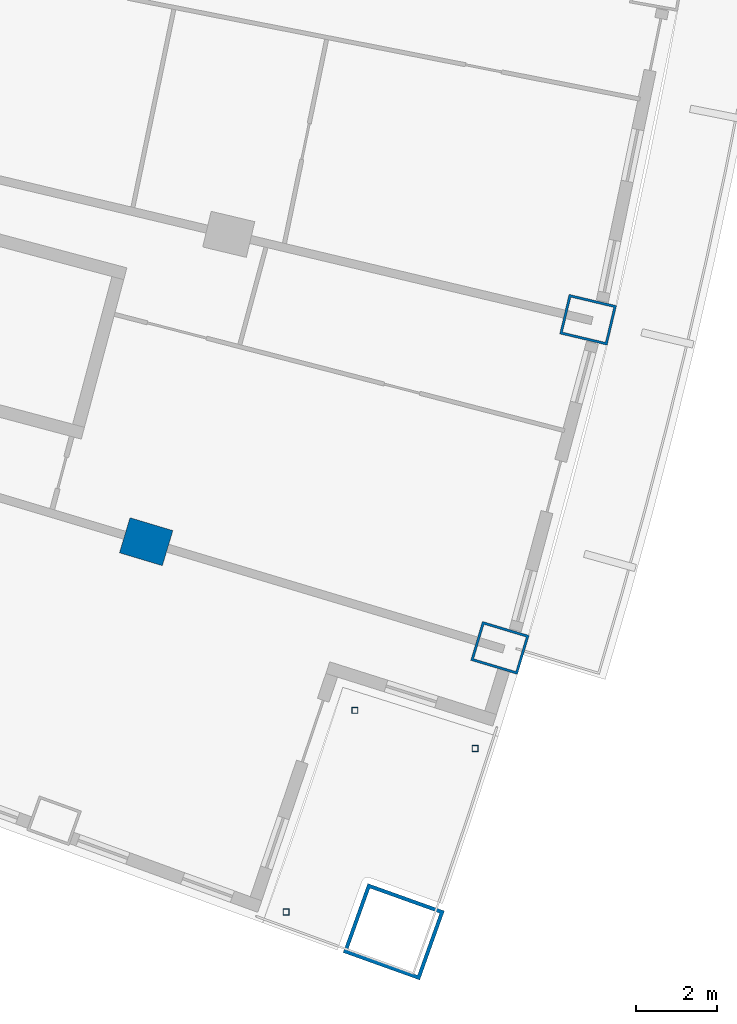
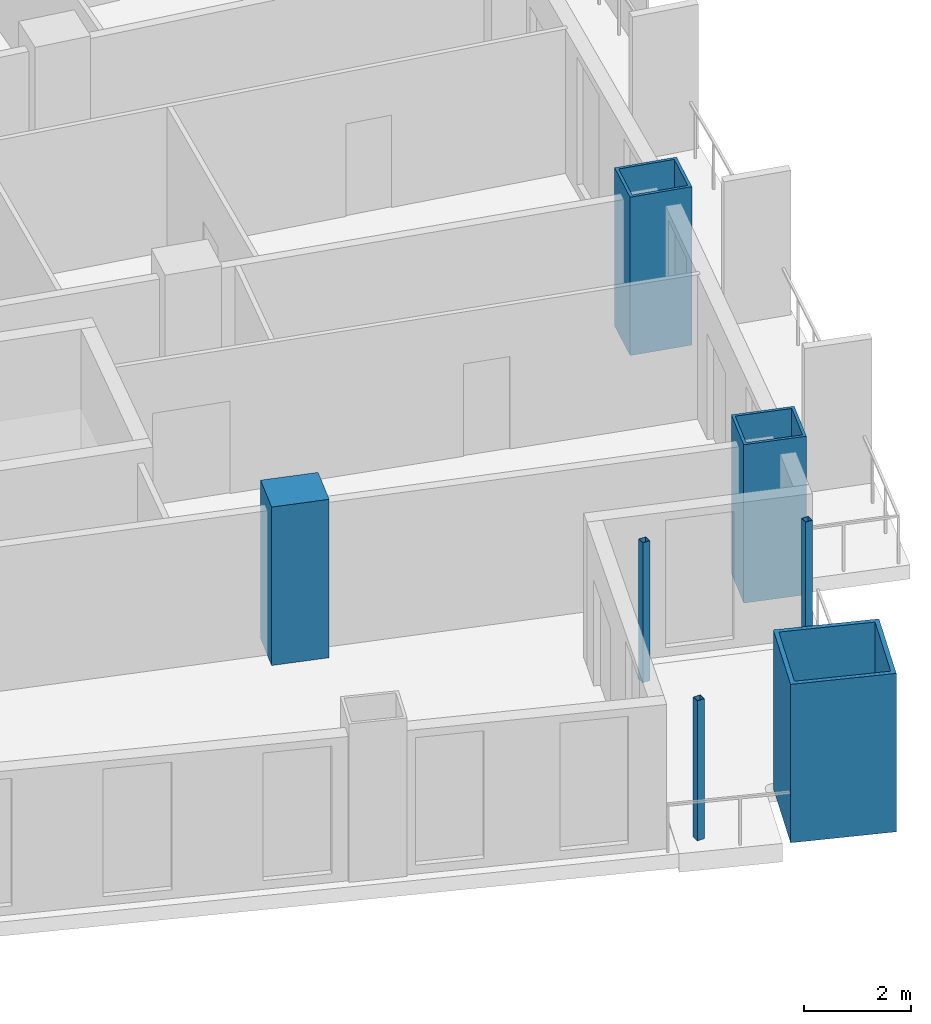
# One storey, part 5 of 25: 7 columns.
"""IFC4 building model written with IfcOpenShell, lengths in metres."""

from ifc_helpers import new_model, si_unit, direction, frame, origin, origin_2d, place, context, subcontext, project, spatial, rectangle, hollow_rectangle, extrude, material, material_profile, profile_set, type_object, element, save


model = new_model("IFC4")

# Units and contexts
model_context = context("Model", 3, precision=1e-05, world=origin(), true_north=direction((0.0, 1.0)))
body_context = subcontext(model_context, "Body", "Model", "MODEL_VIEW")
ifc_project = project(units=[si_unit("LENGTHUNIT", "METRE"), si_unit("AREAUNIT", "SQUARE_METRE"), si_unit("VOLUMEUNIT", "CUBIC_METRE"), si_unit("PLANEANGLEUNIT", "RADIAN"), si_unit("MASSUNIT", "GRAM", prefix="KILO")], contexts=[model_context])

# Site, building, storey
site_placement = place(None, origin())
site = spatial("IfcSite", under=ifc_project, at=site_placement, CompositionType="ELEMENT")
building_placement = place(site_placement, origin())
building = spatial("IfcBuilding", under=site, at=building_placement, Name="Alderwake Tower", CompositionType="ELEMENT")
storey_placement = place(building_placement, frame((0.0, 0.0, 46.39990234375)))
storey = spatial("IfcBuildingStorey", under=building, at=storey_placement, Name="L10", CompositionType="ELEMENT", Elevation=46.39990234375)

# Columns
ifc_material_1 = material(Name="Concrete C70/85", Category="concrete")
ifc_material_profile_1 = material_profile(ifc_material_1, rectangle(XDim=0.89990234375, YDim=1.10009765625, at=origin_2d()), Name="RC 1100X900")
ifc_profile_set_1 = profile_set([ifc_material_profile_1], Name="Concrete C70/85")
column_type_1 = type_object("IfcColumnType", Name="Interior column Z1", PredefinedType="COLUMN", material=ifc_profile_set_1)
column_1_placement = place(storey_placement, frame((48.27685546875, 22.487548828125, 0.0), z_axis=(0.0, 0.0, 1.0), x_axis=(0.287549418125, 0.957765802342, 0.0)))
element("IfcColumn", 1, at=column_1_placement, inside=storey, type_object=column_type_1, Name="Column R02-C4", PredefinedType="COLUMN", context=body_context, shape_type="SweptSolid", body=[
    extrude(rectangle(XDim=0.89990234375, YDim=1.10009765625, at=origin_2d()), origin(), (0.0, 0.0, 1.0), 3.60009765625),
])
ifc_material_2 = material(Name="Steel ASTM A500 Grade C", Category="steel")
ifc_material_profile_2 = material_profile(ifc_material_2, hollow_rectangle(XDim=0.15234375, YDim=0.15234375, WallThickness=0.0087890625, at=origin_2d()), Name="HSS6X6X3/8")
ifc_profile_set_2 = profile_set([ifc_material_profile_2], Name="Steel ASTM A500 Grade C")
column_type_2 = type_object("IfcColumnType", Name="Light post HSS6X6X3/8", PredefinedType="COLUMN", material=ifc_profile_set_2)
for number, where, z_axis, x_axis, name in (
    (2, (56.35302734375, 17.41357421875, 0.0), (0.0, 0.0, 1.0), (1.0, 0.0, 0.0), "Terrace post FS1"),
    (3, (51.712890625, 13.400146484375, 0.0), (0.0, 0.0, 1.0), (1.0, 0.0, 0.0), "Terrace post FS2"),
    (4, (53.397216796875, 18.34814453125, 0.0), (0.0, 0.0, 1.0), (1.0, 0.0, 0.0), "Terrace post FS3"),
):
    element("IfcColumn", number, at=place(storey_placement, frame(where, z_axis=z_axis, x_axis=x_axis)), inside=storey, type_object=column_type_2, Name=name, PredefinedType="COLUMN", context=body_context, shape_type="SweptSolid", body=[
        extrude(hollow_rectangle(XDim=0.15234375, YDim=0.15234375, WallThickness=0.0087890625, at=origin_2d()), origin(), (0.0, 0.0, 1.0), 3.18017578125),
    ])
ifc_material_3 = material(Name="Steel ASTM A572 Grade 50 concrete filled C70/85", Category="concrete")
ifc_material_profile_3 = material_profile(ifc_material_3, hollow_rectangle(XDim=1.800048828125, YDim=2.0, WallThickness=0.090087890625, at=origin_2d()), Name="BOX 2000X1800X90")
ifc_profile_set_3 = profile_set([ifc_material_profile_3], Name="Steel ASTM A572 Grade 50 concrete filled C70/85")
column_type_3 = type_object("IfcColumnType", Name="Mega column Z1", PredefinedType="COLUMN", material=ifc_profile_set_3)
column_2_placement = place(storey_placement, frame((54.353759765625, 12.9130859375, 0.0), z_axis=(0.0, 0.0, 1.0), x_axis=(0.336978590333, 0.941512309881, 0.0)))
element("IfcColumn", 5, at=column_2_placement, inside=storey, type_object=column_type_3, Name="Column R01-C5", PredefinedType="COLUMN", context=body_context, shape_type="SweptSolid", body=[
    extrude(hollow_rectangle(XDim=1.800048828125, YDim=2.0, WallThickness=0.090087890625, at=origin_2d()), origin(), (0.0, 0.0, 1.0), 3.60009765625),
])
ifc_material_4 = material(Name="Steel ASTM A572 Grade 50 concrete filled C70/85", Category="concrete")
ifc_material_profile_4 = material_profile(ifc_material_4, hollow_rectangle(XDim=1.0, YDim=1.199951171875, WallThickness=0.06005859375, at=origin_2d()), Name="BOX 1200X1000X60")
ifc_profile_set_4 = profile_set([ifc_material_profile_4], Name="Steel ASTM A572 Grade 50 concrete filled C70/85")
column_type_4 = type_object("IfcColumnType", Name="Perimeter column Z1", PredefinedType="COLUMN", material=ifc_profile_set_4)
for number, where, z_axis, x_axis, name in (
    (6, (56.96044921875, 19.880615234375, 0.0), (0.0, 0.0, 1.0), (0.287549418125, 0.957765802342, 0.0), "Column R02-C5"),
    (7, (59.125, 27.935302734375, 0.0), (0.0, 0.0, 1.0), (0.231221547198, 0.972901123502, 0.0), "Column R03-C5"),
):
    element("IfcColumn", number, at=place(storey_placement, frame(where, z_axis=z_axis, x_axis=x_axis)), inside=storey, type_object=column_type_4, Name=name, PredefinedType="COLUMN", context=body_context, shape_type="SweptSolid", body=[
        extrude(hollow_rectangle(XDim=1.0, YDim=1.199951171875, WallThickness=0.06005859375, at=origin_2d()), origin(), (0.0, 0.0, 1.0), 3.60009765625),
    ])

save(model, "model.ifc")
